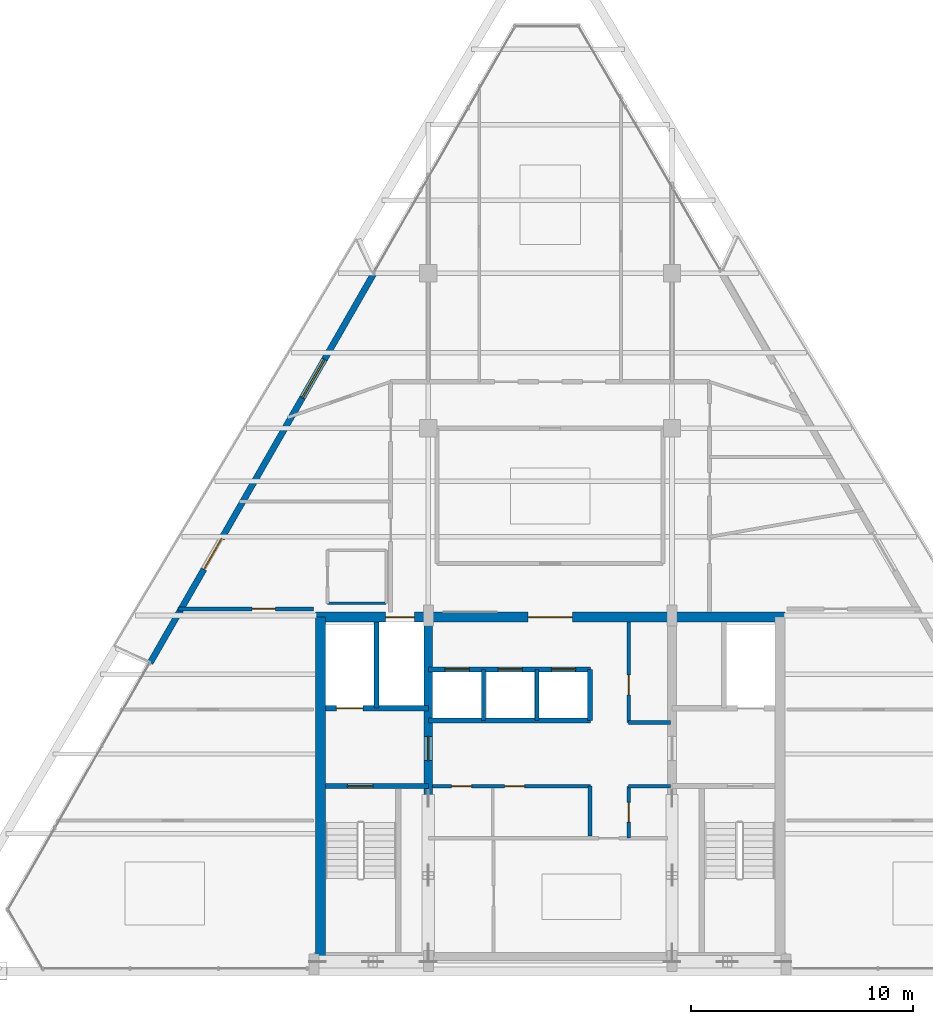
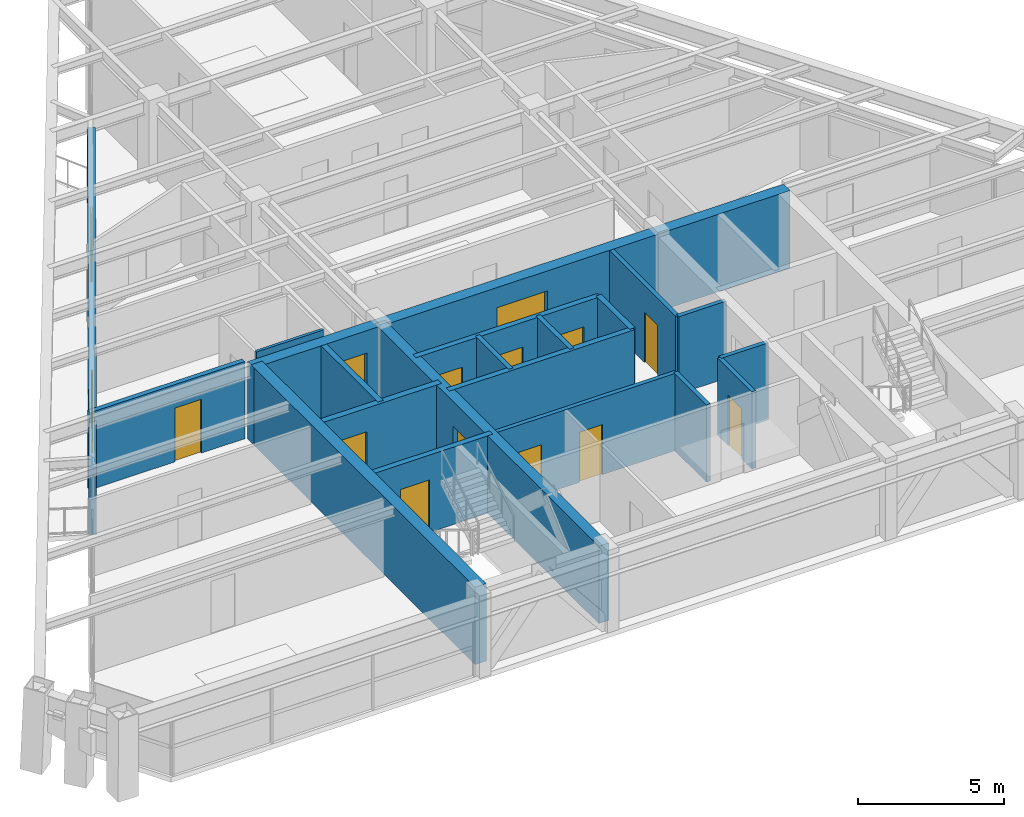
# One storey, part 9 of 13: 20 walls, 14 doors, 1 window, 15 openings.
"""IFC4 building model written with IfcOpenShell, lengths in metres."""

import ifcopenshell
import ifcopenshell.guid

model = None  # the IFC model being written
_history = None  # IfcOwnerHistory: only IFC2X3 demands one
_inside = {}  # id of a spatial element -> (the spatial element, [elements in it])
_under = {}  # id of a project, library or spatial element -> (it, [spatial elements below it])
_declared = {}  # id of a project -> (the project, [libraries it declares])
_typed = {}  # id of a type object -> (the type object, [elements of that type])
_made_of = {}  # id of a material, layer set ... -> (it, [elements and type objects made of it])


def new_model(schema):
    """Start an empty IFC model of exactly this schema.

    Asked for "IFC4X3", IfcOpenShell would pick the latest addendum, in which some entities
    have other attributes; the version numbers below select the first issue.
    IFC2X3 requires an IfcOwnerHistory on every rooted entity: one is made here for all.
    """
    global model, _history
    if schema == "IFC4X3":
        model = ifcopenshell.file(schema_version=(4, 3, 0, 0))
    else:
        model = ifcopenshell.file(schema=schema)
    _inside.clear()
    _under.clear()
    _declared.clear()
    _typed.clear()
    _made_of.clear()
    _history = None
    if model.schema == "IFC2X3":
        org = make("IfcOrganization", Name="unknown")
        user = make(
            "IfcPersonAndOrganization",
            ThePerson=make("IfcPerson", FamilyName="unknown"),
            TheOrganization=org,
        )
        app = make(
            "IfcApplication",
            ApplicationDeveloper=org,
            Version="unknown",
            ApplicationFullName="unknown",
            ApplicationIdentifier="unknown",
        )
        _history = make(
            "IfcOwnerHistory",
            OwningUser=user,
            OwningApplication=app,
            ChangeAction="ADDED",
            CreationDate=0,
        )
    return model


def make(cls, **values):
    """One entity of the class cls with the attributes given. An attribute that is None is left unset."""
    return model.create_entity(
        cls, **{name: value for name, value in values.items() if value is not None}
    )


def rooted(cls, **values):
    """An entity with a GlobalId (a new one), such as an element, a storey or a relation."""
    return make(cls, GlobalId=ifcopenshell.guid.new(), OwnerHistory=_history, **values)


def si_unit(unit_type, name, prefix=None):
    """IfcSIUnit, for example si_unit("LENGTHUNIT", "METRE", prefix="MILLI")."""
    return make("IfcSIUnit", UnitType=unit_type, Prefix=prefix, Name=name)


def assignment(units):
    """IfcUnitAssignment: the units of a project."""
    return None if units is None else make("IfcUnitAssignment", Units=units)


def point(xyz):
    """IfcCartesianPoint."""
    return None if xyz is None else make("IfcCartesianPoint", Coordinates=xyz)


def direction(xyz):
    """IfcDirection."""
    return None if xyz is None else make("IfcDirection", DirectionRatios=xyz)


def frame(location, z_axis=None, x_axis=None):
    """IfcAxis2Placement3D, a coordinate frame: its origin and axes. An axis left out is left unset."""
    return make(
        "IfcAxis2Placement3D",
        Location=point(location),
        Axis=direction(z_axis),
        RefDirection=direction(x_axis),
    )


def frame_2d(location, x_axis=None):
    """IfcAxis2Placement2D, a coordinate frame in the plane: its origin and x axis."""
    return make(
        "IfcAxis2Placement2D", Location=point(location), RefDirection=direction(x_axis)
    )


def origin():
    """The frame at (0, 0, 0) with its axes left unset."""
    return frame((0.0, 0.0, 0.0))


def place(relative_to, where):
    """IfcLocalPlacement: puts the frame where relative to a parent placement (None: the world)."""
    return make(
        "IfcLocalPlacement", PlacementRelTo=relative_to, RelativePlacement=where
    )


def context(
    kind, dimensions, precision=None, world=None, true_north=None, identifier=None
):
    """IfcGeometricRepresentationContext, for example the 3D "Model" context."""
    return make(
        "IfcGeometricRepresentationContext",
        ContextIdentifier=identifier,
        ContextType=kind,
        CoordinateSpaceDimension=dimensions,
        Precision=precision,
        WorldCoordinateSystem=world,
        TrueNorth=true_north,
    )


def subcontext(parent, identifier, kind, view, scale=None):
    """IfcGeometricRepresentationSubContext, for example "Body" below "Model"."""
    return make(
        "IfcGeometricRepresentationSubContext",
        ContextIdentifier=identifier,
        ContextType=kind,
        ParentContext=parent,
        TargetScale=scale,
        TargetView=view,
    )


def project(units=None, contexts=None):
    """IfcProject with its units and contexts."""
    return rooted(
        "IfcProject",
        Name="project",
        RepresentationContexts=contexts,
        UnitsInContext=assignment(units),
    )


def spatial(cls, under=None, at=None, **own):
    """A site, building, storey or space (cls), placed at a placement, below another one or the project."""
    s = rooted(cls, ObjectPlacement=at, **own)
    if under is not None:
        _under.setdefault(under.id(), (under, []))[1].append(s)
    return s


def profile(cls, at=None, kind="AREA", **sizes):
    """A parametric profile (cls). Its sizes go by their IFC names, for example OverallWidth=200.0."""
    return make(cls, ProfileType=kind, Position=at, **sizes)


def rectangle(**sizes):
    """IfcRectangleProfileDef."""
    return profile("IfcRectangleProfileDef", **sizes)


def extrude(swept, where, along, depth):
    """IfcExtrudedAreaSolid: the profile swept, set in the frame where, extruded along a direction by depth."""
    return make(
        "IfcExtrudedAreaSolid",
        SweptArea=swept,
        Position=where,
        ExtrudedDirection=direction(along),
        Depth=depth,
    )


def shape(context_of_items, identifier, shape_type, items):
    """IfcShapeRepresentation: the items that make up one representation, for example the "Body"."""
    return make(
        "IfcShapeRepresentation",
        ContextOfItems=context_of_items,
        RepresentationIdentifier=identifier,
        RepresentationType=shape_type,
        Items=items,
    )


def source(mapping_origin, context_of_items, identifier, shape_type, items):
    """IfcRepresentationMap: a shape defined once, which mapped items show again and again."""
    return make(
        "IfcRepresentationMap",
        MappingOrigin=mapping_origin,
        MappedRepresentation=shape(context_of_items, identifier, shape_type, items),
    )


def transform(
    local_origin,
    x_axis=None,
    y_axis=None,
    z_axis=None,
    scale=None,
    scale2=None,
    scale3=None,
    uniform=True,
):
    """IfcCartesianTransformationOperator3D, or its non-uniform kind. x_axis, y_axis, z_axis: its Axis1, 2, 3."""
    if uniform:
        return make(
            "IfcCartesianTransformationOperator3D",
            Axis1=direction(x_axis),
            Axis2=direction(y_axis),
            LocalOrigin=point(local_origin),
            Scale=scale,
            Axis3=direction(z_axis),
        )
    return make(
        "IfcCartesianTransformationOperator3DnonUniform",
        Axis1=direction(x_axis),
        Axis2=direction(y_axis),
        LocalOrigin=point(local_origin),
        Scale=scale,
        Axis3=direction(z_axis),
        Scale2=scale2,
        Scale3=scale3,
    )


def mapped(mapping_source, mapping_target):
    """IfcMappedItem: shows the shape of a source again, moved by a transform."""
    return make(
        "IfcMappedItem", MappingSource=mapping_source, MappingTarget=mapping_target
    )


def material(Name=None, Category=None):
    """IfcMaterial."""
    return make("IfcMaterial", Name=Name, Category=Category)


def layer(
    of_material, thickness, ventilated=None, Name=None, Category=None, Priority=None
):
    """IfcMaterialLayer: one layer of a wall or slab, of a material (None: an air gap)."""
    return make(
        "IfcMaterialLayer",
        Material=of_material,
        LayerThickness=thickness,
        IsVentilated=ventilated,
        Name=Name,
        Category=Category,
        Priority=Priority,
    )


def layer_set(layers, Name=None):
    """IfcMaterialLayerSet."""
    return make("IfcMaterialLayerSet", MaterialLayers=layers, LayerSetName=Name)


def made_of(thing, what):
    """Note that an element or type object is made of a material, layer set ...; save() writes the relation."""
    if what is not None:
        _made_of.setdefault(what.id(), (what, []))[1].append(thing)
    return thing


def type_object(cls, material=None, **own):
    """A type object (cls), such as IfcWallType, which elements share."""
    return made_of(rooted(cls, **own), material)


def type_shapes(of_type, sources):
    """Give a type object the sources (RepresentationMaps) that its elements show as mapped items."""
    of_type.RepresentationMaps = sources


def element(
    cls,
    number,
    at=None,
    inside=None,
    cuts=None,
    type_object=None,
    material=None,
    context=None,
    identifier="Body",
    shape_type=None,
    held_by="IfcProductDefinitionShape",
    body=None,
    shapes=None,
    **own,
):
    """One element of the class cls, such as IfcWall. Its Tag is "e" and its number.

    at: its placement. inside: the storey or other place that contains it. cuts: it is an
    opening in that element (IfcRelVoidsElement). A single representation is given by context,
    identifier, shape_type and body (its items); several are given by shapes. held_by: the class
    of the entity that holds the representations. save() writes the other relations.
    """
    e = rooted(cls, Tag="e%d" % number, ObjectPlacement=at, **own)
    if body is not None:
        shapes = [shape(context, identifier, shape_type, body)]
    if shapes is not None:
        e.Representation = make(held_by, Representations=shapes)
    if inside is not None:
        _inside.setdefault(inside.id(), (inside, []))[1].append(e)
    if cuts is not None:
        rooted(
            "IfcRelVoidsElement", RelatingBuildingElement=cuts, RelatedOpeningElement=e
        )
    if type_object is not None:
        _typed.setdefault(type_object.id(), (type_object, []))[1].append(e)
    return made_of(e, material)


def fill(opening, filler):
    """IfcRelFillsElement: the door or window that sits in an opening."""
    return rooted(
        "IfcRelFillsElement",
        RelatingOpeningElement=opening,
        RelatedBuildingElement=filler,
    )


def aggregate(whole, parts):
    """IfcRelAggregates: a whole, such as a stair, and the parts it consists of."""
    return rooted("IfcRelAggregates", RelatingObject=whole, RelatedObjects=parts)


def save(model, path):
    """Write the relations noted so far, then the file.

    IfcRelAggregates (storeys below a building ...), IfcRelContainedInSpatialStructure (elements
    in a storey), IfcRelDefinesByType, IfcRelAssociatesMaterial and IfcRelDeclares: one each for
    every whole, place, type object, material and project.
    """
    for whole, parts in _under.values():
        aggregate(whole, parts)
    for where, things in _inside.values():
        rooted(
            "IfcRelContainedInSpatialStructure",
            RelatedElements=things,
            RelatingStructure=where,
        )
    for kind, things in _typed.values():
        rooted("IfcRelDefinesByType", RelatedObjects=things, RelatingType=kind)
    for what, things in _made_of.values():
        rooted("IfcRelAssociatesMaterial", RelatedObjects=things, RelatingMaterial=what)
    for by, libraries in _declared.values():
        rooted("IfcRelDeclares", RelatingContext=by, RelatedDefinitions=libraries)
    model.write(path)


model = new_model("IFC4")

# Units and contexts
model_context = context("Model", 3, precision=1e-05, world=origin(), true_north=direction((0.0, 1.0)))
body_context = subcontext(model_context, "Body", "Model", "MODEL_VIEW")
ifc_project = project(units=[si_unit("LENGTHUNIT", "METRE"), si_unit("AREAUNIT", "SQUARE_METRE"), si_unit("VOLUMEUNIT", "CUBIC_METRE"), si_unit("PLANEANGLEUNIT", "RADIAN"), si_unit("MASSUNIT", "GRAM", prefix="KILO")], contexts=[model_context])

# Site, building, storey
site_placement = place(None, origin())
site = spatial("IfcSite", under=ifc_project, at=site_placement, CompositionType="ELEMENT")
building_placement = place(site_placement, origin())
building = spatial("IfcBuilding", under=site, at=building_placement, Name="Varnakhor Terracotta Tower", CompositionType="ELEMENT")
storey_placement = place(building_placement, frame((0.0, 0.0, 290.25)))
storey = spatial("IfcBuildingStorey", under=building, at=storey_placement, Name="L76", CompositionType="ELEMENT", Elevation=290.25)

# Wall
ifc_material_1 = material(Name="Moisture-Resistant Tile-Backed Partition", Category="gypsum")
ifc_layer_1 = layer(ifc_material_1, 0.114990234375, Name="Moisture-Resistant Tile-Backed Partition")
ifc_layer_set_1 = layer_set([ifc_layer_1], Name="Moisture-Resistant Tile-Backed Partition")
wall_type_1 = type_object("IfcWallType", Name="WAL-BATH-115", PredefinedType="PARTITIONING", material=ifc_layer_set_1)
wall_1_placement = place(storey_placement, frame((-10.050048828125, 16.60009765625, 0.0), z_axis=(0.0, 0.0, 1.0), x_axis=(1.0, 0.0, 0.0)))
element("IfcWall", 1, at=wall_1_placement, inside=storey, type_object=wall_type_1, Name="L76 En-Suite 1 Wall S", PredefinedType="PARTITIONING", context=body_context, shape_type="SweptSolid", body=[
    extrude(rectangle(XDim=2.650146484375, YDim=0.114990234375, at=frame_2d((1.3251953125, 0.0))), origin(), (0.0, 0.0, 1.0), 3.23193359375),
])

# Wall, openings, doors
ifc_material_2 = material(Name="Concrete C50/60", Category="concrete")
ifc_layer_2 = layer(ifc_material_2, 0.449951171875, Name="Concrete C50/60")
ifc_layer_set_2 = layer_set([ifc_layer_2], Name="Concrete C50/60")
wall_type_2 = type_object("IfcWallType", Name="WAL-CORE-450", PredefinedType="SHEAR", material=ifc_layer_set_2)
wall_2_placement = place(storey_placement, frame((-10.60009765625, 15.97509765625, 0.0), z_axis=(0.0, 0.0, 1.0), x_axis=(1.0, 0.0, 0.0)))
wall_2 = element("IfcWall", 2, at=wall_2_placement, inside=storey, type_object=wall_type_2, Name="L76 North Core Shear Wall", PredefinedType="SHEAR", context=body_context, shape_type="SweptSolid", body=[
    extrude(rectangle(XDim=21.2001953125, YDim=0.449951171875, at=frame_2d((10.60009765625, 0.0))), origin(), (0.0, 0.0, 1.0), 3.239990234375),
])
opening_1_placement = place(wall_2_placement, frame((3.169921875, 0.0, 0.0)))
opening_1 = element("IfcOpeningElement", 3, at=opening_1_placement, cuts=wall_2, Name="Opening LD-03", PredefinedType="OPENING", context=body_context, shape_type="SweptSolid", body=[
    extrude(rectangle(XDim=1.300048828125, YDim=2.300048828125, at=frame_2d((0.64990234375, 1.14990234375))), frame((0.0, 0.23486328125, 0.0), z_axis=(0.0, -1.0, 0.0), x_axis=(1.0, 0.0, 0.0)), (0.0, 0.0, 1.0), 0.469970703125),
])
opening_2_placement = place(wall_2_placement, frame((9.60009765625, 0.0, 0.0)))
opening_2 = element("IfcOpeningElement", 4, at=opening_2_placement, cuts=wall_2, Name="Opening DR-32", PredefinedType="OPENING", context=body_context, shape_type="SweptSolid", body=[
    extrude(rectangle(XDim=2.0, YDim=2.39990234375, at=frame_2d((1.0, 1.199951171875))), frame((0.0, 0.23486328125, 0.0), z_axis=(0.0, -1.0, 0.0), x_axis=(1.0, 0.0, 0.0)), (0.0, 0.0, 1.0), 0.469970703125),
])
ifc_material_3 = material(Name="Heavy-Duty Goods Sliding Lift Landing Door", Category="steel")
door_type_1 = type_object("IfcDoorType", Name="LD-SRV-1300X2300", OperationType="NOTDEFINED", PredefinedType="DOOR", material=ifc_material_3)
shared_shape_1 = source(origin(), body_context, "Body", "SweptSolid", [
    extrude(rectangle(XDim=1.300048828125, YDim=2.300048828125, at=frame_2d((0.64990234375, 1.14990234375))), frame((0.0, 0.02490234375, 0.0), z_axis=(0.0, -1.0, 0.0), x_axis=(1.0, 0.0, 0.0)), (0.0, 0.0, 1.0), 0.050048828125),
])
type_shapes(door_type_1, [shared_shape_1])
door_1_placement = place(opening_1_placement, origin())
door_1 = element("IfcDoor", 5, at=door_1_placement, inside=storey, type_object=door_type_1, Name="L76 Service Lift SVL-1 Landing Door", OperationType="SLIDING_TO_RIGHT", OverallHeight=2.300048828125, OverallWidth=1.300048828125, PredefinedType="DOOR", context=body_context, shape_type="MappedRepresentation", body=[
    mapped(shared_shape_1, transform((0.0, 0.0, 0.0), scale=1.0)),
])
fill(opening_1, door_1)
ifc_material_4 = material(Name="Acoustic Double Assembly Fire Door", Category="wood")
door_type_2 = type_object("IfcDoorType", Name="DR-HALL-2000X2400", OperationType="NOTDEFINED", PredefinedType="DOOR", material=ifc_material_4)
shared_shape_2 = source(origin(), body_context, "Body", "SweptSolid", [
    extrude(rectangle(XDim=2.0, YDim=2.39990234375, at=frame_2d((1.0, 1.199951171875))), frame((0.0, 0.02490234375, 0.0), z_axis=(0.0, -1.0, 0.0), x_axis=(1.0, 0.0, 0.0)), (0.0, 0.0, 1.0), 0.050048828125),
])
type_shapes(door_type_2, [shared_shape_2])
door_2_placement = place(opening_2_placement, origin())
door_2 = element("IfcDoor", 6, at=door_2_placement, inside=storey, type_object=door_type_2, Name="L76 Core Main Lobby Double Door", OperationType="DOUBLE_DOOR_SINGLE_SWING", OverallHeight=2.39990234375, OverallWidth=2.0, PredefinedType="DOOR", context=body_context, shape_type="MappedRepresentation", body=[
    mapped(shared_shape_2, transform((0.0, 0.0, 0.0), scale=1.0)),
])
fill(opening_2, door_2)

# Wall
wall_3_placement = place(storey_placement, frame((-10.375, 0.625, 0.0), z_axis=(0.0, 0.0, 1.0), x_axis=(0.0, 1.0, 0.0)))
element("IfcWall", 7, at=wall_3_placement, inside=storey, type_object=wall_type_2, Name="L76 West Core Shear Wall", PredefinedType="SHEAR", context=body_context, shape_type="SweptSolid", body=[
    extrude(rectangle(XDim=15.35009765625, YDim=0.449951171875, at=frame_2d((7.675048828125, 0.0))), origin(), (0.0, 0.0, 1.0), 3.239990234375),
])

# Wall, opening, door
ifc_layer_3 = layer(ifc_material_2, 0.39990234375, Name="Concrete C50/60")
ifc_layer_set_3 = layer_set([ifc_layer_3], Name="Concrete C50/60")
wall_type_3 = type_object("IfcWallType", Name="WAL-CORE-WEB-400", PredefinedType="SHEAR", material=ifc_layer_set_3)
wall_4_placement = place(storey_placement, frame((-5.5, 0.625, 0.0), z_axis=(0.0, 0.0, 1.0), x_axis=(0.0, 1.0, 0.0)))
wall_4 = element("IfcWall", 8, at=wall_4_placement, inside=storey, type_object=wall_type_3, Name="L76 West Core Web Shear Wall", PredefinedType="SHEAR", context=body_context, shape_type="SweptSolid", body=[
    extrude(rectangle(XDim=15.35009765625, YDim=0.39990234375, at=frame_2d((7.675048828125, 0.0))), origin(), (0.0, 0.0, 1.0), 3.239990234375),
])
opening_3_placement = place(wall_4_placement, frame((8.875, 0.0, 0.0)))
opening_3 = element("IfcOpeningElement", 9, at=opening_3_placement, cuts=wall_4, Name="Opening DR-25", PredefinedType="OPENING", context=body_context, shape_type="SweptSolid", body=[
    extrude(rectangle(XDim=1.10009765625, YDim=2.199951171875, at=frame_2d((0.550048828125, 1.10009765625))), frame((0.0, 0.2099609375, 0.0), z_axis=(0.0, -1.0, 0.0), x_axis=(1.0, 0.0, 0.0)), (0.0, 0.0, 1.0), 0.419921875),
])
ifc_material_5 = material(Name="Firefighting Lobby Self-Closing Fire Door", Category="steel")
door_type_3 = type_object("IfcDoorType", Name="DR-FFL-1100X2200", OperationType="NOTDEFINED", PredefinedType="DOOR", material=ifc_material_5)
shared_shape_3 = source(origin(), body_context, "Body", "SweptSolid", [
    extrude(rectangle(XDim=1.10009765625, YDim=2.199951171875, at=frame_2d((0.550048828125, 1.10009765625))), frame((0.0, 0.02490234375, 0.0), z_axis=(0.0, -1.0, 0.0), x_axis=(1.0, 0.0, 0.0)), (0.0, 0.0, 1.0), 0.050048828125),
])
type_shapes(door_type_3, [shared_shape_3])
door_3_placement = place(opening_3_placement, origin())
door_3 = element("IfcDoor", 10, at=door_3_placement, inside=storey, type_object=door_type_3, Name="L76 West Firefighting Lobby Door", OperationType="SINGLE_SWING_RIGHT", OverallHeight=2.199951171875, OverallWidth=1.10009765625, PredefinedType="DOOR", context=body_context, shape_type="MappedRepresentation", body=[
    mapped(shared_shape_3, transform((0.0, 0.0, 0.0), scale=1.0)),
])
fill(opening_3, door_3)

ifc_material_6 = material(Name="Fire-Rated Gypsum Stud Partition", Category="gypsum")
ifc_layer_4 = layer(ifc_material_6, 0.18505859375, Name="Fire-Rated Gypsum Stud Partition")
ifc_layer_set_4 = layer_set([ifc_layer_4], Name="Fire-Rated Gypsum Stud Partition")
wall_type_4 = type_object("IfcWallType", Name="WAL-CORR-185", PredefinedType="PARTITIONING", material=ifc_layer_set_4)
wall_5_placement = place(storey_placement, frame((-16.80322265625, 16.35009765625, 0.0), z_axis=(0.0, 0.0, 1.0), x_axis=(1.0, 0.0, 0.0)))
wall_5 = element("IfcWall", 11, at=wall_5_placement, inside=storey, type_object=wall_type_4, Name="L76 South West Guest Entry Wall", PredefinedType="PARTITIONING", context=body_context, shape_type="SweptSolid", body=[
    extrude(rectangle(XDim=6.123291015625, YDim=0.18505859375, at=frame_2d((3.0615234375, 0.0))), origin(), (0.0, 0.0, 1.0), 3.23193359375),
])
opening_4_placement = place(wall_5_placement, frame((3.35302734375, 0.0, 0.0)))
opening_4 = element("IfcOpeningElement", 12, at=opening_4_placement, cuts=wall_5, Name="Opening DR-95", PredefinedType="OPENING", context=body_context, shape_type="SweptSolid", body=[
    extrude(rectangle(XDim=1.050048828125, YDim=2.25, at=frame_2d((0.52490234375, 1.125))), frame((0.0, 0.1025390625, 0.0), z_axis=(0.0, -1.0, 0.0), x_axis=(1.0, 0.0, 0.0)), (0.0, 0.0, 1.0), 0.205078125),
])
ifc_material_7 = material(Name="Solid-Core Timber Tenant/Hotel Entrance Door", Category="wood")
door_type_4 = type_object("IfcDoorType", Name="DR-SUITE-1050X2250", OperationType="NOTDEFINED", PredefinedType="DOOR", material=ifc_material_7)
shared_shape_4 = source(origin(), body_context, "Body", "SweptSolid", [
    extrude(rectangle(XDim=1.050048828125, YDim=2.25, at=frame_2d((0.52490234375, 1.125))), frame((0.0, 0.02490234375, 0.0), z_axis=(0.0, -1.0, 0.0), x_axis=(1.0, 0.0, 0.0)), (0.0, 0.0, 1.0), 0.050048828125),
])
type_shapes(door_type_4, [shared_shape_4])
door_4_placement = place(opening_4_placement, origin())
door_4 = element("IfcDoor", 13, at=door_4_placement, inside=storey, type_object=door_type_4, Name="L76 SW Suite Entry Door", OperationType="SINGLE_SWING_LEFT", OverallHeight=2.25, OverallWidth=1.050048828125, PredefinedType="DOOR", context=body_context, shape_type="MappedRepresentation", body=[
    mapped(shared_shape_4, transform((0.0, 0.0, 0.0), scale=1.0)),
])
fill(opening_4, door_4)

# Wall, openings, door, window
ifc_material_8 = material(Name="Extruded Architectural Terracotta Assembly", Category="masonry")
ifc_layer_5 = layer(ifc_material_8, 0.280029296875, Name="Extruded Architectural Terracotta Assembly")
ifc_layer_set_5 = layer_set([ifc_layer_5], Name="Extruded Architectural Terracotta Assembly")
wall_type_5 = type_object("IfcWallType", Name="WAL-EXT-TERRACOTTA-280", PredefinedType="SOLIDWALL", material=ifc_layer_set_5)
wall_6_placement = place(storey_placement, frame((-18.0517578125, 13.915283203125, 0.0), z_axis=(0.0, 0.0, 1.0), x_axis=(0.498040695355, 0.867153657532, 0.0)))
wall_6 = element("IfcWall", 14, at=wall_6_placement, inside=storey, type_object=wall_type_5, Name="L76 W Loggia Insulated Terracotta Wall", PredefinedType="SOLIDWALL", context=body_context, shape_type="SweptSolid", body=[
    extrude(rectangle(XDim=20.28271484375, YDim=0.280029296875, at=frame_2d((10.141357421875, 0.0))), origin(), (0.0, 0.0, 1.0), 2.820068359375),
])
opening_5_placement = place(wall_6_placement, frame((4.867919921875, 0.0, 0.0)))
opening_5 = element("IfcOpeningElement", 15, at=opening_5_placement, cuts=wall_6, Name="Opening DR-62", PredefinedType="OPENING", context=body_context, shape_type="SweptSolid", body=[
    extrude(rectangle(XDim=1.60009765625, YDim=2.35009765625, at=frame_2d((0.800048828125, 1.175048828125))), frame((0.0, 0.14990234375, 0.0), z_axis=(0.0, -1.0, 0.0), x_axis=(1.0, 0.0, 0.0)), (0.0, 0.0, 1.0), 0.300048828125),
])
opening_6_placement = place(wall_6_placement, frame((13.7919921875, 0.0, 0.89990234375)))
opening_6 = element("IfcOpeningElement", 16, at=opening_6_placement, cuts=wall_6, Name="Opening WN-63", PredefinedType="OPENING", context=body_context, shape_type="SweptSolid", body=[
    extrude(rectangle(XDim=2.0, YDim=1.75, at=frame_2d((1.0, 0.875))), frame((0.0, 0.14990234375, 0.0), z_axis=(0.0, -1.0, 0.0), x_axis=(1.0, 0.0, 0.0)), (0.0, 0.0, 1.0), 0.300048828125),
])
ifc_material_9 = material(Name="Thermally Broken Sliding Glass Loggia Door", Category="glass")
door_type_5 = type_object("IfcDoorType", Name="DR-EXT-LOGGIA-1600X2350", OperationType="NOTDEFINED", PredefinedType="DOOR", material=ifc_material_9)
shared_shape_5 = source(origin(), body_context, "Body", "SweptSolid", [
    extrude(rectangle(XDim=1.60009765625, YDim=2.35009765625, at=frame_2d((0.800048828125, 1.175048828125))), frame((0.0, 0.02490234375, 0.0), z_axis=(0.0, -1.0, 0.0), x_axis=(1.0, 0.0, 0.0)), (0.0, 0.0, 1.0), 0.050048828125),
])
type_shapes(door_type_5, [shared_shape_5])
door_5_placement = place(opening_5_placement, origin())
door_5 = element("IfcDoor", 17, at=door_5_placement, inside=storey, type_object=door_type_5, Name="L76 W Recessed Loggia Sliding Door", OperationType="SLIDING_TO_LEFT", OverallHeight=2.35009765625, OverallWidth=1.60009765625, PredefinedType="DOOR", context=body_context, shape_type="MappedRepresentation", body=[
    mapped(shared_shape_5, transform((0.0, 0.0, 0.0), scale=1.0)),
])
fill(opening_5, door_5)
ifc_material_10 = material(Name="Solar-Control Low-E Insulated Glass Unit", Category="glass")
window_type = type_object("IfcWindowType", Name="WIN-HTL-2000X1950", PartitioningType="SINGLE_PANEL", PredefinedType="WINDOW", material=ifc_material_10)
shared_shape_6 = source(origin(), body_context, "Body", "SweptSolid", [
    extrude(rectangle(XDim=2.0, YDim=1.75, at=frame_2d((1.0, 0.875))), frame((0.0, 0.030029296875, 0.0), z_axis=(0.0, -1.0, 0.0), x_axis=(1.0, 0.0, 0.0)), (0.0, 0.0, 1.0), 0.06005859375),
])
type_shapes(window_type, [shared_shape_6])
window_placement = place(opening_6_placement, origin())
window = element("IfcWindow", 18, at=window_placement, inside=storey, type_object=window_type, Name="L76 W Facet Punched Window", OverallHeight=1.75, OverallWidth=2.0, PartitioningType="SINGLE_PANEL", PredefinedType="WINDOW", context=body_context, shape_type="MappedRepresentation", body=[
    mapped(shared_shape_6, transform((0.0, 0.0, 0.0), scale=1.0)),
])
fill(opening_6, window)

# Wall, opening, door
ifc_material_11 = material(Name="Concrete C40/50", Category="concrete")
ifc_layer_6 = layer(ifc_material_11, 0.219970703125, Name="Concrete C40/50")
ifc_layer_set_6 = layer_set([ifc_layer_6], Name="Concrete C40/50")
wall_type_6 = type_object("IfcWallType", Name="WAL-FFLOBBY-220", PredefinedType="SOLIDWALL", material=ifc_layer_set_6)
wall_7_placement = place(storey_placement, frame((-5.5, 8.35009765625, 0.0), z_axis=(0.0, 0.0, 1.0), x_axis=(-1.0, 0.0, 0.0)))
wall_7 = element("IfcWall", 19, at=wall_7_placement, inside=storey, type_object=wall_type_6, Name="L76 West Firefighting Lobby Stair Wall", PredefinedType="SOLIDWALL", context=body_context, shape_type="SweptSolid", body=[
    extrude(rectangle(XDim=4.64990234375, YDim=0.219970703125, at=frame_2d((2.324951171875, 0.0))), origin(), (0.0, 0.0, 1.0), 3.239990234375),
])
opening_7_placement = place(wall_7_placement, frame((2.5, 0.0, 0.0)))
opening_7 = element("IfcOpeningElement", 20, at=opening_7_placement, cuts=wall_7, Name="Opening DR-34", PredefinedType="OPENING", context=body_context, shape_type="SweptSolid", body=[
    extrude(rectangle(XDim=1.14990234375, YDim=2.199951171875, at=frame_2d((0.574951171875, 1.10009765625))), frame((0.0, 0.1201171875, 0.0), z_axis=(0.0, -1.0, 0.0), x_axis=(1.0, 0.0, 0.0)), (0.0, 0.0, 1.0), 0.239990234375),
])
ifc_material_12 = material(Name="Self-Closing Smoke-Sealed Steel Fire Door", Category="steel")
door_type_6 = type_object("IfcDoorType", Name="DR-STAIR-1150X2200", OperationType="NOTDEFINED", PredefinedType="DOOR", material=ifc_material_12)
shared_shape_7 = source(origin(), body_context, "Body", "SweptSolid", [
    extrude(rectangle(XDim=1.14990234375, YDim=2.199951171875, at=frame_2d((0.574951171875, 1.10009765625))), frame((0.0, 0.02490234375, 0.0), z_axis=(0.0, -1.0, 0.0), x_axis=(1.0, 0.0, 0.0)), (0.0, 0.0, 1.0), 0.050048828125),
])
type_shapes(door_type_6, [shared_shape_7])
door_6_placement = place(opening_7_placement, origin())
door_6 = element("IfcDoor", 21, at=door_6_placement, inside=storey, type_object=door_type_6, Name="L76 Exit Stair ST-1 Fire Door", OperationType="SINGLE_SWING_LEFT", OverallHeight=2.199951171875, OverallWidth=1.14990234375, PredefinedType="DOOR", context=body_context, shape_type="MappedRepresentation", body=[
    mapped(shared_shape_7, transform((0.0, 0.0, 0.0), scale=1.0)),
])
fill(opening_7, door_6)

# Walls
ifc_layer_7 = layer(ifc_material_11, 0.179931640625, Name="Concrete C40/50")
ifc_layer_set_7 = layer_set([ifc_layer_7], Name="Concrete C40/50")
wall_type_7 = type_object("IfcWallType", Name="WAL-SHAFT-180", PredefinedType="SOLIDWALL", material=ifc_layer_set_7)
for number, where, z_axis, x_axis, name in (
    (22, (-3.0, 11.320068359375, 0.0), (0.0, 0.0, 1.0), (0.0, 1.0, 0.0), "L76 PL-3A Divider"),
    (23, (-0.60009765625, 11.320068359375, 0.0), (0.0, 0.0, 1.0), (0.0, 1.0, 0.0), "L76 PL-3B Divider"),
):
    element("IfcWall", number, at=place(storey_placement, frame(where, z_axis=z_axis, x_axis=x_axis)), inside=storey, type_object=wall_type_7, Name=name, PredefinedType="SOLIDWALL", context=body_context, shape_type="SweptSolid", body=[
        extrude(rectangle(XDim=2.300048828125, YDim=0.179931640625, at=frame_2d((1.14990234375, 0.0))), origin(), (0.0, 0.0, 1.0), 3.239990234375),
    ])
ifc_layer_8 = layer(ifc_material_11, 0.219970703125, Name="Concrete C40/50")
ifc_layer_set_8 = layer_set([ifc_layer_8], Name="Concrete C40/50")
wall_type_8 = type_object("IfcWallType", Name="WAL-SHAFT-220", PredefinedType="SOLIDWALL", material=ifc_layer_set_8)
wall_8_placement = place(storey_placement, frame((-7.840087890625, 11.8701171875, 0.0), z_axis=(0.0, 0.0, 1.0), x_axis=(0.0, 1.0, 0.0)))
element("IfcWall", 24, at=wall_8_placement, inside=storey, type_object=wall_type_8, Name="L76 Lift FFL-1 and SVL-1 Divider Wall", PredefinedType="SOLIDWALL", context=body_context, shape_type="SweptSolid", body=[
    extrude(rectangle(XDim=3.8798828125, YDim=0.219970703125, at=frame_2d((1.93994140625, 0.0))), origin(), (0.0, 0.0, 1.0), 3.239990234375),
])
wall_9_placement = place(storey_placement, frame((-5.5, 11.320068359375, 0.0), z_axis=(0.0, 0.0, 1.0), x_axis=(1.0, 0.0, 0.0)))
element("IfcWall", 25, at=wall_9_placement, inside=storey, type_object=wall_type_8, Name="L76 Bank 3 South Shaft Wall", PredefinedType="SOLIDWALL", context=body_context, shape_type="SweptSolid", body=[
    extrude(rectangle(XDim=7.320068359375, YDim=0.219970703125, at=frame_2d((3.66015625, 0.0))), origin(), (0.0, 0.0, 1.0), 3.239990234375),
])

# Wall, openings, doors
wall_10_placement = place(storey_placement, frame((-5.5, 13.6201171875, 0.0), z_axis=(0.0, 0.0, 1.0), x_axis=(1.0, 0.0, 0.0)))
wall_10 = element("IfcWall", 26, at=wall_10_placement, inside=storey, type_object=wall_type_8, Name="L76 Bank 3 North Shaft Wall", PredefinedType="SOLIDWALL", context=body_context, shape_type="SweptSolid", body=[
    extrude(rectangle(XDim=7.320068359375, YDim=0.219970703125, at=frame_2d((3.66015625, 0.0))), origin(), (0.0, 0.0, 1.0), 3.239990234375),
])
opening_8_placement = place(wall_10_placement, frame((0.75, 0.0, 0.0)))
opening_8 = element("IfcOpeningElement", 27, at=opening_8_placement, cuts=wall_10, Name="Opening LD-01", PredefinedType="OPENING", context=body_context, shape_type="SweptSolid", body=[
    extrude(rectangle(XDim=1.10009765625, YDim=2.199951171875, at=frame_2d((0.550048828125, 1.10009765625))), frame((0.0, 0.1201171875, 0.0), z_axis=(0.0, -1.0, 0.0), x_axis=(1.0, 0.0, 0.0)), (0.0, 0.0, 1.0), 0.239990234375),
])
opening_9_placement = place(wall_10_placement, frame((3.14990234375, 0.0, 0.0)))
opening_9 = element("IfcOpeningElement", 28, at=opening_9_placement, cuts=wall_10, Name="Opening LD-01", PredefinedType="OPENING", context=body_context, shape_type="SweptSolid", body=[
    extrude(rectangle(XDim=1.10009765625, YDim=2.199951171875, at=frame_2d((0.550048828125, 1.10009765625))), frame((0.0, 0.1201171875, 0.0), z_axis=(0.0, -1.0, 0.0), x_axis=(1.0, 0.0, 0.0)), (0.0, 0.0, 1.0), 0.239990234375),
])
opening_10_placement = place(wall_10_placement, frame((5.550048828125, 0.0, 0.0)))
opening_10 = element("IfcOpeningElement", 29, at=opening_10_placement, cuts=wall_10, Name="Opening LD-01", PredefinedType="OPENING", context=body_context, shape_type="SweptSolid", body=[
    extrude(rectangle(XDim=1.10009765625, YDim=2.199951171875, at=frame_2d((0.550048828125, 1.10009765625))), frame((0.0, 0.1201171875, 0.0), z_axis=(0.0, -1.0, 0.0), x_axis=(1.0, 0.0, 0.0)), (0.0, 0.0, 1.0), 0.239990234375),
])
ifc_material_13 = material(Name="Brushed Stainless Steel Sliding Lift Landing Door", Category="steel")
door_type_7 = type_object("IfcDoorType", Name="LD-PASS-1100X2200", OperationType="NOTDEFINED", PredefinedType="DOOR", material=ifc_material_13)
shared_shape_8 = source(origin(), body_context, "Body", "SweptSolid", [
    extrude(rectangle(XDim=1.10009765625, YDim=2.199951171875, at=frame_2d((0.550048828125, 1.10009765625))), frame((0.0, 0.02490234375, 0.0), z_axis=(0.0, -1.0, 0.0), x_axis=(1.0, 0.0, 0.0)), (0.0, 0.0, 1.0), 0.050048828125),
])
type_shapes(door_type_7, [shared_shape_8])
door_7_placement = place(opening_8_placement, origin())
door_7 = element("IfcDoor", 30, at=door_7_placement, inside=storey, type_object=door_type_7, Name="L76 Passenger Lift PL-3A Landing Door", OperationType="SLIDING_TO_RIGHT", OverallHeight=2.199951171875, OverallWidth=1.10009765625, PredefinedType="DOOR", context=body_context, shape_type="MappedRepresentation", body=[
    mapped(shared_shape_8, transform((0.0, 0.0, 0.0), scale=1.0)),
])
fill(opening_8, door_7)
door_8_placement = place(opening_9_placement, origin())
door_8 = element("IfcDoor", 31, at=door_8_placement, inside=storey, type_object=door_type_7, Name="L76 Passenger Lift PL-3B Landing Door", OperationType="SLIDING_TO_RIGHT", OverallHeight=2.199951171875, OverallWidth=1.10009765625, PredefinedType="DOOR", context=body_context, shape_type="MappedRepresentation", body=[
    mapped(shared_shape_8, transform((0.0, 0.0, 0.0), scale=1.0)),
])
fill(opening_9, door_8)
door_9_placement = place(opening_10_placement, origin())
door_9 = element("IfcDoor", 32, at=door_9_placement, inside=storey, type_object=door_type_7, Name="L76 Passenger Lift PL-3C Landing Door", OperationType="SLIDING_TO_RIGHT", OverallHeight=2.199951171875, OverallWidth=1.10009765625, PredefinedType="DOOR", context=body_context, shape_type="MappedRepresentation", body=[
    mapped(shared_shape_8, transform((0.0, 0.0, 0.0), scale=1.0)),
])
fill(opening_10, door_9)

# Wall
wall_11_placement = place(storey_placement, frame((1.800048828125, 11.320068359375, 0.0), z_axis=(0.0, 0.0, 1.0), x_axis=(0.0, 1.0, 0.0)))
element("IfcWall", 33, at=wall_11_placement, inside=storey, type_object=wall_type_8, Name="L76 Bank 3 East Shaft Wall", PredefinedType="SOLIDWALL", context=body_context, shape_type="SweptSolid", body=[
    extrude(rectangle(XDim=2.300048828125, YDim=0.219970703125, at=frame_2d((1.14990234375, 0.0))), origin(), (0.0, 0.0, 1.0), 3.239990234375),
])

# Wall, opening, door
ifc_layer_9 = layer(ifc_material_11, 0.25, Name="Concrete C40/50")
ifc_layer_set_9 = layer_set([ifc_layer_9], Name="Concrete C40/50")
wall_type_9 = type_object("IfcWallType", Name="WAL-SHAFT-250", PredefinedType="SOLIDWALL", material=ifc_layer_set_9)
wall_12_placement = place(storey_placement, frame((-5.5, 11.8701171875, 0.0), z_axis=(0.0, 0.0, 1.0), x_axis=(-1.0, 0.0, 0.0)))
wall_12 = element("IfcWall", 34, at=wall_12_placement, inside=storey, type_object=wall_type_9, Name="L76 Lift FFL-1 Shaft Front Wall", PredefinedType="SOLIDWALL", context=body_context, shape_type="SweptSolid", body=[
    extrude(rectangle(XDim=4.64990234375, YDim=0.25, at=frame_2d((2.324951171875, 0.0))), origin(), (0.0, 0.0, 1.0), 3.239990234375),
])
opening_11_placement = place(wall_12_placement, frame((2.949951171875, 0.0, 0.0)))
opening_11 = element("IfcOpeningElement", 35, at=opening_11_placement, cuts=wall_12, Name="Opening LD-02", PredefinedType="OPENING", context=body_context, shape_type="SweptSolid", body=[
    extrude(rectangle(XDim=1.199951171875, YDim=2.25, at=frame_2d((0.60009765625, 1.125))), frame((0.0, 0.135009765625, 0.0), z_axis=(0.0, -1.0, 0.0), x_axis=(1.0, 0.0, 0.0)), (0.0, 0.0, 1.0), 0.27001953125),
])
ifc_material_14 = material(Name="Firefighting Stretcher Sliding Lift Landing Door", Category="steel")
door_type_8 = type_object("IfcDoorType", Name="LD-FFL-1200X2250", OperationType="NOTDEFINED", PredefinedType="DOOR", material=ifc_material_14)
shared_shape_9 = source(origin(), body_context, "Body", "SweptSolid", [
    extrude(rectangle(XDim=1.199951171875, YDim=2.25, at=frame_2d((0.60009765625, 1.125))), frame((0.0, 0.02490234375, 0.0), z_axis=(0.0, -1.0, 0.0), x_axis=(1.0, 0.0, 0.0)), (0.0, 0.0, 1.0), 0.050048828125),
])
type_shapes(door_type_8, [shared_shape_9])
door_10_placement = place(opening_11_placement, origin())
door_10 = element("IfcDoor", 36, at=door_10_placement, inside=storey, type_object=door_type_8, Name="L76 Firefighting Lift FFL-1 Landing Door", OperationType="SLIDING_TO_LEFT", OverallHeight=2.25, OverallWidth=1.199951171875, PredefinedType="DOOR", context=body_context, shape_type="MappedRepresentation", body=[
    mapped(shared_shape_9, transform((0.0, 0.0, 0.0), scale=1.0)),
])
fill(opening_11, door_10)

ifc_material_15 = material(Name="Acoustic Fire-Rated Partition", Category="gypsum")
ifc_layer_10 = layer(ifc_material_15, 0.1650390625, Name="Acoustic Fire-Rated Partition")
ifc_layer_set_10 = layer_set([ifc_layer_10], Name="Acoustic Fire-Rated Partition")
wall_type_10 = type_object("IfcWallType", Name="WAL-TENANCY-165", PredefinedType="PARTITIONING", material=ifc_layer_set_10)
wall_13_placement = place(storey_placement, frame((3.5400390625, 6.0, 0.0), z_axis=(0.0, 0.0, 1.0), x_axis=(0.0, 1.0, 0.0)))
wall_13 = element("IfcWall", 37, at=wall_13_placement, inside=storey, type_object=wall_type_10, Name="L76 Accessible WC Rated Wall", PredefinedType="PARTITIONING", context=body_context, shape_type="SweptSolid", body=[
    extrude(rectangle(XDim=2.340087890625, YDim=0.1650390625, at=frame_2d((1.169921875, 0.0))), origin(), (0.0, 0.0, 1.0), 3.23193359375),
])
opening_12_placement = place(wall_13_placement, frame((0.719970703125, 0.0, 0.0)))
opening_12 = element("IfcOpeningElement", 38, at=opening_12_placement, cuts=wall_13, Name="Opening DR-67", PredefinedType="OPENING", context=body_context, shape_type="SweptSolid", body=[
    extrude(rectangle(XDim=0.89990234375, YDim=2.10009765625, at=frame_2d((0.449951171875, 1.050048828125))), frame((0.0, 0.092529296875, 0.0), z_axis=(0.0, -1.0, 0.0), x_axis=(1.0, 0.0, 0.0)), (0.0, 0.0, 1.0), 0.18505859375),
])
ifc_material_16 = material(Name="Steel Service Riser Fire Door", Category="steel")
door_type_9 = type_object("IfcDoorType", Name="DR-RISER-900X2100", OperationType="NOTDEFINED", PredefinedType="DOOR", material=ifc_material_16)
shared_shape_10 = source(origin(), body_context, "Body", "SweptSolid", [
    extrude(rectangle(XDim=0.89990234375, YDim=2.10009765625, at=frame_2d((0.449951171875, 1.050048828125))), frame((0.0, 0.02490234375, 0.0), z_axis=(0.0, -1.0, 0.0), x_axis=(1.0, 0.0, 0.0)), (0.0, 0.0, 1.0), 0.050048828125),
])
type_shapes(door_type_9, [shared_shape_10])
door_11_placement = place(opening_12_placement, origin())
door_11 = element("IfcDoor", 39, at=door_11_placement, inside=storey, type_object=door_type_9, Name="L76 Accessible WC Door", OperationType="SINGLE_SWING_LEFT", OverallHeight=2.10009765625, OverallWidth=0.89990234375, PredefinedType="DOOR", context=body_context, shape_type="MappedRepresentation", body=[
    mapped(shared_shape_10, transform((0.0, 0.0, 0.0), scale=1.0)),
])
fill(opening_12, door_11)

# Wall
wall_14_placement = place(storey_placement, frame((3.5400390625, 8.340087890625, 0.0), z_axis=(0.0, 0.0, 1.0), x_axis=(1.0, 0.0, 0.0)))
element("IfcWall", 40, at=wall_14_placement, inside=storey, type_object=wall_type_10, Name="L76 Accessible WC North Wall", PredefinedType="PARTITIONING", context=body_context, shape_type="SweptSolid", body=[
    extrude(rectangle(XDim=1.8798828125, YDim=0.1650390625, at=frame_2d((0.93994140625, 0.0))), origin(), (0.0, 0.0, 1.0), 3.23193359375),
])

# Wall, openings, doors
wall_15_placement = place(storey_placement, frame((-5.300048828125, 8.35009765625, 0.0), z_axis=(0.0, 0.0, 1.0), x_axis=(1.0, 0.0, 0.0)))
wall_15 = element("IfcWall", 41, at=wall_15_placement, inside=storey, type_object=wall_type_10, Name="L76 Reclaimed Mid-Core North Wall", PredefinedType="PARTITIONING", context=body_context, shape_type="SweptSolid", body=[
    extrude(rectangle(XDim=7.1201171875, YDim=0.1650390625, at=frame_2d((3.56005859375, 0.0))), origin(), (0.0, 0.0, 1.0), 3.23193359375),
])
opening_13_placement = place(wall_15_placement, frame((0.85009765625, 0.0, 0.0)))
opening_13 = element("IfcOpeningElement", 42, at=opening_13_placement, cuts=wall_15, Name="Opening DR-67", PredefinedType="OPENING", context=body_context, shape_type="SweptSolid", body=[
    extrude(rectangle(XDim=0.89990234375, YDim=2.10009765625, at=frame_2d((0.449951171875, 1.050048828125))), frame((0.0, 0.092529296875, 0.0), z_axis=(0.0, -1.0, 0.0), x_axis=(1.0, 0.0, 0.0)), (0.0, 0.0, 1.0), 0.18505859375),
])
opening_14_placement = place(wall_15_placement, frame((3.25, 0.0, 0.0)))
opening_14 = element("IfcOpeningElement", 43, at=opening_14_placement, cuts=wall_15, Name="Opening DR-67", PredefinedType="OPENING", context=body_context, shape_type="SweptSolid", body=[
    extrude(rectangle(XDim=0.89990234375, YDim=2.10009765625, at=frame_2d((0.449951171875, 1.050048828125))), frame((0.0, 0.092529296875, 0.0), z_axis=(0.0, -1.0, 0.0), x_axis=(1.0, 0.0, 0.0)), (0.0, 0.0, 1.0), 0.18505859375),
])
door_12_placement = place(opening_13_placement, origin())
door_12 = element("IfcDoor", 44, at=door_12_placement, inside=storey, type_object=door_type_9, Name="L76 Core West Restroom Door", OperationType="SINGLE_SWING_RIGHT", OverallHeight=2.10009765625, OverallWidth=0.89990234375, PredefinedType="DOOR", context=body_context, shape_type="MappedRepresentation", body=[
    mapped(shared_shape_10, transform((0.0, 0.0, 0.0), scale=1.0)),
])
fill(opening_13, door_12)
door_13_placement = place(opening_14_placement, origin())
door_13 = element("IfcDoor", 45, at=door_13_placement, inside=storey, type_object=door_type_9, Name="L76 Core East Restroom Door", OperationType="SINGLE_SWING_LEFT", OverallHeight=2.10009765625, OverallWidth=0.89990234375, PredefinedType="DOOR", context=body_context, shape_type="MappedRepresentation", body=[
    mapped(shared_shape_10, transform((0.0, 0.0, 0.0), scale=1.0)),
])
fill(opening_14, door_13)

# Wall
wall_16_placement = place(storey_placement, frame((1.800048828125, 6.10009765625, 0.0), z_axis=(0.0, 0.0, 1.0), x_axis=(0.0, 1.0, 0.0)))
element("IfcWall", 46, at=wall_16_placement, inside=storey, type_object=wall_type_10, Name="L76 Reclaimed Mid-Core East Wall", PredefinedType="PARTITIONING", context=body_context, shape_type="SweptSolid", body=[
    extrude(rectangle(XDim=2.25, YDim=0.1650390625, at=frame_2d((1.125, 0.0))), origin(), (0.0, 0.0, 1.0), 3.23193359375),
])

# Wall, opening, door
wall_17_placement = place(storey_placement, frame((3.5400390625, 11.219970703125, 0.0), z_axis=(0.0, 0.0, 1.0), x_axis=(0.0, 1.0, 0.0)))
wall_17 = element("IfcWall", 47, at=wall_17_placement, inside=storey, type_object=wall_type_10, Name="L76 Restroom Corridor Wall", PredefinedType="PARTITIONING", context=body_context, shape_type="SweptSolid", body=[
    extrude(rectangle(XDim=4.530029296875, YDim=0.1650390625, at=frame_2d((2.26513671875, 0.0))), origin(), (0.0, 0.0, 1.0), 3.23193359375),
])
opening_15_placement = place(wall_17_placement, frame((1.25, 0.0, 0.0)))
opening_15 = element("IfcOpeningElement", 48, at=opening_15_placement, cuts=wall_17, Name="Opening DR-67", PredefinedType="OPENING", context=body_context, shape_type="SweptSolid", body=[
    extrude(rectangle(XDim=0.89990234375, YDim=2.10009765625, at=frame_2d((0.449951171875, 1.050048828125))), frame((0.0, 0.092529296875, 0.0), z_axis=(0.0, -1.0, 0.0), x_axis=(1.0, 0.0, 0.0)), (0.0, 0.0, 1.0), 0.18505859375),
])
door_14_placement = place(opening_15_placement, origin())
door_14 = element("IfcDoor", 49, at=door_14_placement, inside=storey, type_object=door_type_9, Name="L76 Female WC Door", OperationType="SINGLE_SWING_RIGHT", OverallHeight=2.10009765625, OverallWidth=0.89990234375, PredefinedType="DOOR", context=body_context, shape_type="MappedRepresentation", body=[
    mapped(shared_shape_10, transform((0.0, 0.0, 0.0), scale=1.0)),
])
fill(opening_15, door_14)

# Wall
wall_18_placement = place(storey_placement, frame((3.5400390625, 11.219970703125, 0.0), z_axis=(0.0, 0.0, 1.0), x_axis=(1.0, 0.0, 0.0)))
element("IfcWall", 50, at=wall_18_placement, inside=storey, type_object=wall_type_10, Name="L76 Restroom South Wall", PredefinedType="PARTITIONING", context=body_context, shape_type="SweptSolid", body=[
    extrude(rectangle(XDim=1.8798828125, YDim=0.1650390625, at=frame_2d((0.93994140625, 0.0))), origin(), (0.0, 0.0, 1.0), 3.23193359375),
])

save(model, "model.ifc")
